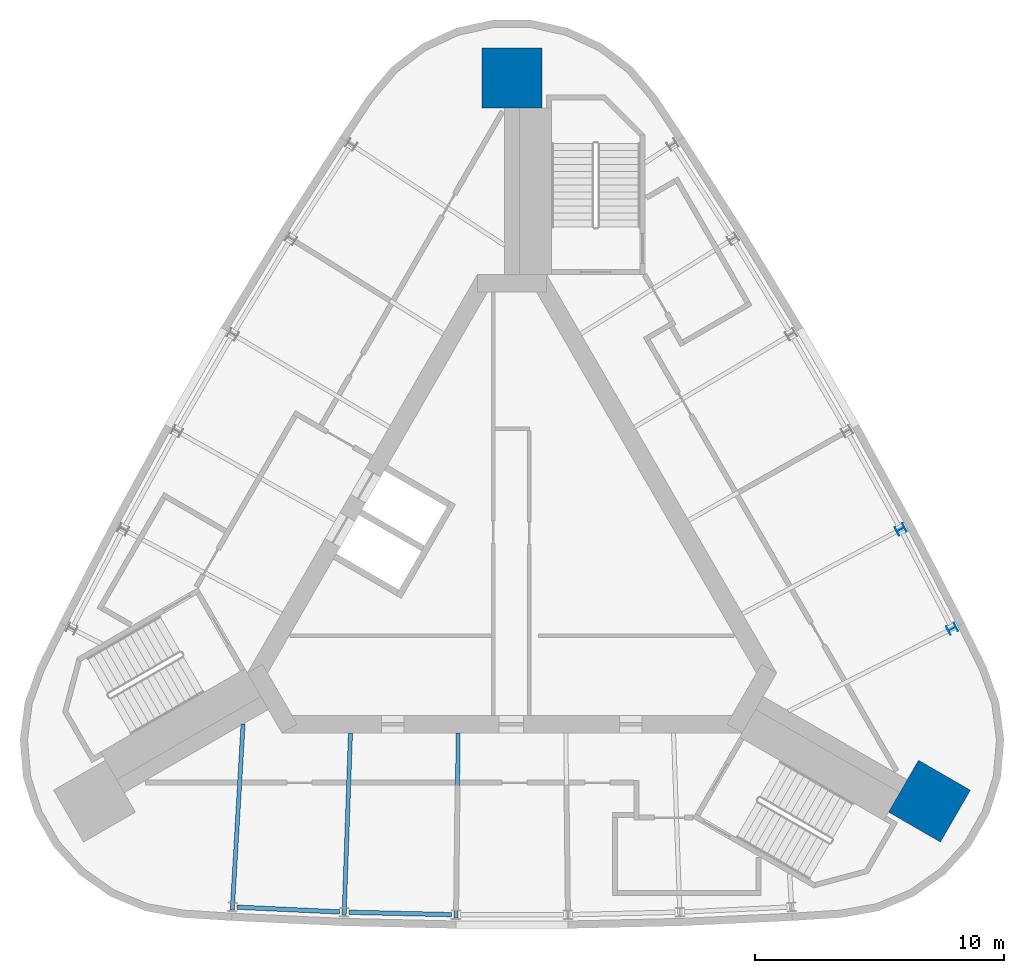
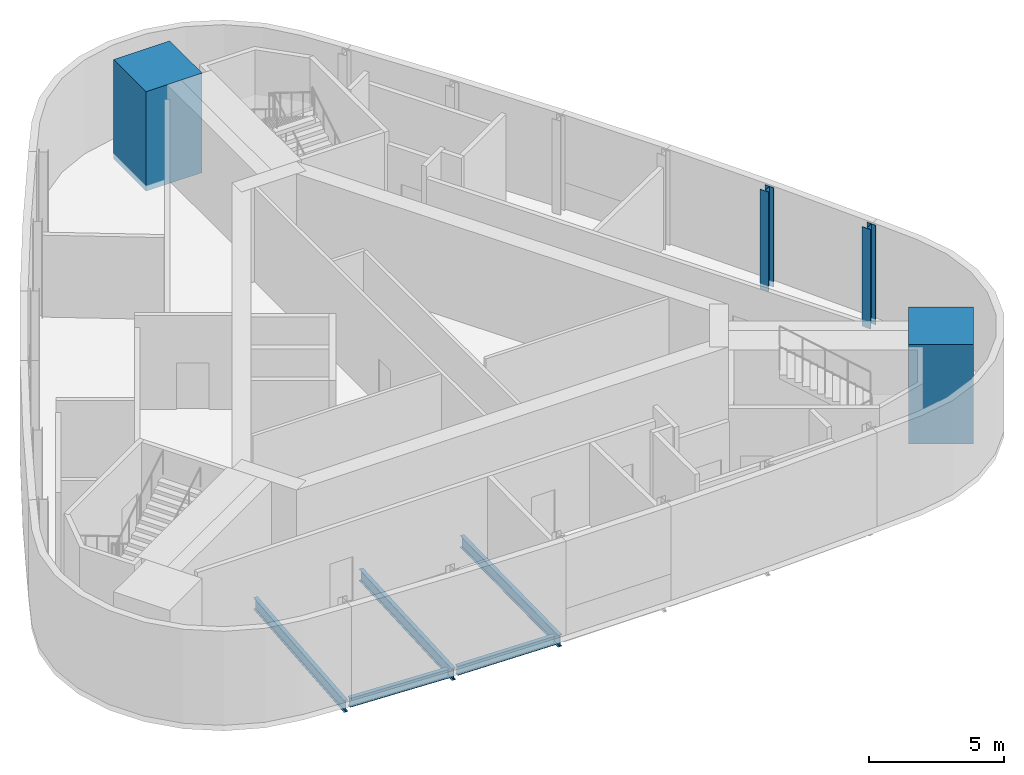
# One storey, part 2 of 7: 5 beams, 4 columns.
"""IFC4 building model written with IfcOpenShell, lengths in metres."""

from ifc_helpers import new_model, si_unit, direction, frame, origin, origin_2d, place, context, subcontext, project, spatial, rectangle, i_section, extrude, material, material_profile, profile_set, type_object, element, save


model = new_model("IFC4")

# Units and contexts
model_context = context("Model", 3, precision=1e-05, world=origin(), true_north=direction((0.0, 1.0)))
body_context = subcontext(model_context, "Body", "Model", "MODEL_VIEW")
ifc_project = project(units=[si_unit("LENGTHUNIT", "METRE"), si_unit("AREAUNIT", "SQUARE_METRE"), si_unit("VOLUMEUNIT", "CUBIC_METRE"), si_unit("PLANEANGLEUNIT", "RADIAN"), si_unit("MASSUNIT", "GRAM", prefix="KILO")], contexts=[model_context])

# Site, building, storey
site_placement = place(None, origin())
site = spatial("IfcSite", under=ifc_project, at=site_placement, CompositionType="ELEMENT")
building_placement = place(site_placement, origin())
building = spatial("IfcBuilding", under=site, at=building_placement, Name="Noor Cloister Tower", CompositionType="ELEMENT")
storey_placement = place(building_placement, frame((0.0, 0.0, 284.10009765625)))
storey = spatial("IfcBuildingStorey", under=building, at=storey_placement, Name="L72", CompositionType="ELEMENT", Elevation=284.10009765625)

# Columns
ifc_material_1 = material(Name="Steel ASTM A992 Gr 50", Category="steel")
ifc_material_profile_1 = material_profile(ifc_material_1, i_section(OverallWidth=0.367919921875, OverallDepth=0.35595703125, WebThickness=0.01123046875, FlangeThickness=0.01806640625, FilletRadius=0.015380859375, at=origin_2d()), Name="W360x134")
ifc_profile_set_1 = profile_set([ifc_material_profile_1], Name="Steel ASTM A992 Gr 50")
column_type_1 = type_object("IfcColumnType", Name="Column W360x134", PredefinedType="COLUMN", material=ifc_profile_set_1)
for number, where, z_axis, x_axis, name in (
    (1, (17.653564453125, -2.75390625, -0.25), (0.0, 0.0, 1.0), (-0.448974965035, 0.893544336209, 0.0), "Column NE 01 L72"),
    (2, (15.592529296875, 1.231689453125, -0.25), (0.0, 0.0, 1.0), (-0.469575774469, 0.882892174635, 0.0), "Column NE 02 L72"),
):
    element("IfcColumn", number, at=place(storey_placement, frame(where, z_axis=z_axis, x_axis=x_axis)), inside=storey, type_object=column_type_1, Name=name, PredefinedType="COLUMN", context=body_context, shape_type="SweptSolid", body=[
        extrude(i_section(OverallWidth=0.367919921875, OverallDepth=0.35595703125, WebThickness=0.01123046875, FlangeThickness=0.01806640625, FilletRadius=0.015380859375, at=origin_2d()), origin(), (0.0, 0.0, 1.0), 4.5),
    ])
ifc_material_2 = material(Name="Concrete C50/60", Category="concrete")
ifc_material_profile_2 = material_profile(ifc_material_2, rectangle(XDim=2.39990234375, YDim=2.39990234375, at=origin_2d()), Name="RC 2400x2400")
ifc_profile_set_2 = profile_set([ifc_material_profile_2], Name="Concrete C50/60")
column_type_2 = type_object("IfcColumnType", Name="Corner pier 2400 x 2400 C50/60", PredefinedType="COLUMN", material=ifc_profile_set_2)
for number, where, z_axis, x_axis, name in (
    (3, (0.0, 19.3349609375, -0.25), (0.0, 0.0, 1.0), (0.0, 1.0, 0.0), "Corner pier N L72"),
    (4, (16.74462890625, -9.66748046875, -0.25), (0.0, 0.0, 1.0), (0.866025403784, -0.5, 0.0), "Corner pier SE L72"),
):
    element("IfcColumn", number, at=place(storey_placement, frame(where, z_axis=z_axis, x_axis=x_axis)), inside=storey, type_object=column_type_2, Name=name, PredefinedType="COLUMN", context=body_context, shape_type="SweptSolid", body=[
        extrude(rectangle(XDim=2.39990234375, YDim=2.39990234375, at=origin_2d()), origin(), (0.0, 0.0, 1.0), 4.5),
    ])

# Beams
ifc_material_3 = material(Name="Steel ASTM A992 Gr 50", Category="steel")
ifc_material_profile_3 = material_profile(ifc_material_3, i_section(OverallWidth=0.166015625, OverallDepth=0.528076171875, WebThickness=0.009765625, FlangeThickness=0.013671875, FilletRadius=0.0126953125, at=origin_2d()), Name="W530x74")
ifc_profile_set_3 = profile_set([ifc_material_profile_3], Name="Steel ASTM A992 Gr 50")
beam_type_1 = type_object("IfcBeamType", Name="Radial beam W530x74", PredefinedType="BEAM", material=ifc_profile_set_3)
beam_1_placement = place(storey_placement, frame((-11.218994140625, -14.033203125, -0.51416015625), z_axis=(0.057963519573, 0.998318701818, 0.0), x_axis=(-0.998318701818, 0.057963519573, 0.0)))
element("IfcBeam", 5, at=beam_1_placement, inside=storey, type_object=beam_type_1, Name="Radial beam S 01 L72", PredefinedType="BEAM", context=body_context, shape_type="SweptSolid", body=[
    extrude(i_section(OverallWidth=0.166015625, OverallDepth=0.528076171875, WebThickness=0.009765625, FlangeThickness=0.013671875, FilletRadius=0.0126953125, at=origin_2d()), origin(), (0.0, 0.0, 1.0), 7.471923828125),
])
beam_2_placement = place(storey_placement, frame((-6.733642578125, -14.241455078125, -0.51416015625), z_axis=(0.034764484893, 0.999395532605, 0.0), x_axis=(-0.999395532605, 0.034764484893, 0.0)))
element("IfcBeam", 6, at=beam_2_placement, inside=storey, type_object=beam_type_1, Name="Radial beam S 02 L72", PredefinedType="BEAM", context=body_context, shape_type="SweptSolid", body=[
    extrude(i_section(OverallWidth=0.166015625, OverallDepth=0.528076171875, WebThickness=0.009765625, FlangeThickness=0.013671875, FilletRadius=0.0126953125, at=origin_2d()), origin(), (0.0, 0.0, 1.0), 7.317626953125),
])
beam_3_placement = place(storey_placement, frame((-2.244873046875, -14.345458984375, -0.51416015625), z_axis=(0.011585411151, 0.999932886872, 0.0), x_axis=(-0.999932886872, 0.011585411151, 0.0)))
element("IfcBeam", 7, at=beam_3_placement, inside=storey, type_object=beam_type_1, Name="Radial beam S 03 L72", PredefinedType="BEAM", context=body_context, shape_type="SweptSolid", body=[
    extrude(i_section(OverallWidth=0.166015625, OverallDepth=0.528076171875, WebThickness=0.009765625, FlangeThickness=0.013671875, FilletRadius=0.0126953125, at=origin_2d()), origin(), (0.0, 0.0, 1.0), 7.417724609375),
])
ifc_material_4 = material(Name="Steel ASTM A992 Gr 50", Category="steel")
ifc_material_profile_4 = material_profile(ifc_material_4, i_section(OverallWidth=0.177978515625, OverallDepth=0.406005859375, WebThickness=0.0078125, FlangeThickness=0.0126953125, FilletRadius=0.01025390625, at=origin_2d()), Name="W410x60")
ifc_profile_set_4 = profile_set([ifc_material_profile_4], Name="Steel ASTM A992 Gr 50")
beam_type_2 = type_object("IfcBeamType", Name="Spandrel beam W410x60", PredefinedType="SPANDREL", material=ifc_profile_set_4)
beam_4_placement = place(storey_placement, frame((-11.028076171875, -13.919921875, -0.453125), z_axis=(0.998925325351, -0.046348617801, 0.0), x_axis=(0.046348617801, 0.998925325351, 0.0)))
element("IfcBeam", 8, at=beam_4_placement, inside=storey, type_object=beam_type_2, Name="Spandrel beam S 01 L72", PredefinedType="SPANDREL", context=body_context, shape_type="SweptSolid", body=[
    extrude(i_section(OverallWidth=0.177978515625, OverallDepth=0.406005859375, WebThickness=0.0078125, FlangeThickness=0.0126953125, FilletRadius=0.01025390625, at=origin_2d()), origin(), (0.0, 0.0, 1.0), 4.119140625),
])
beam_5_placement = place(storey_placement, frame((-6.545654296875, -14.123779296875, -0.453125), z_axis=(0.999731452345, -0.023173760841, 0.0), x_axis=(0.023173760841, 0.999731452345, 0.0)))
element("IfcBeam", 9, at=beam_5_placement, inside=storey, type_object=beam_type_2, Name="Spandrel beam S 02 L72", PredefinedType="SPANDREL", context=body_context, shape_type="SweptSolid", body=[
    extrude(i_section(OverallWidth=0.177978515625, OverallDepth=0.406005859375, WebThickness=0.0078125, FlangeThickness=0.0126953125, FilletRadius=0.01025390625, at=origin_2d()), origin(), (0.0, 0.0, 1.0), 4.119384765625),
])

save(model, "model.ifc")
